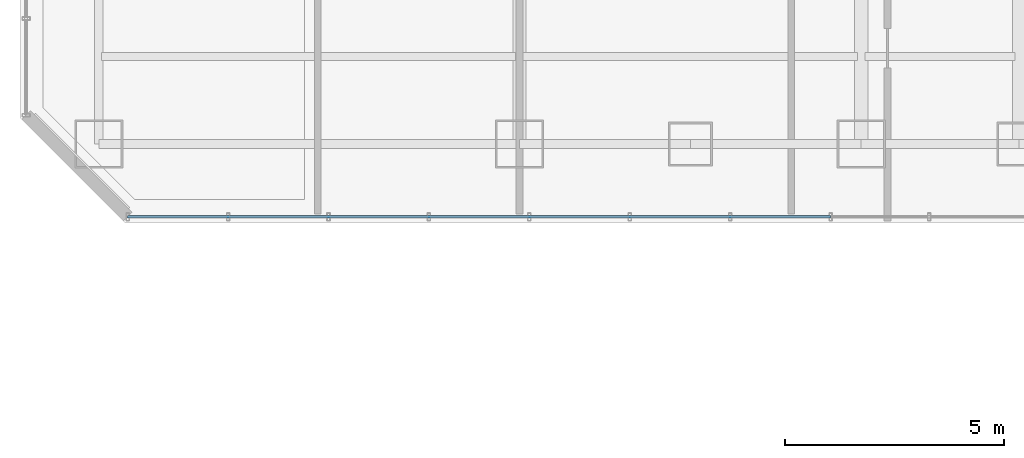
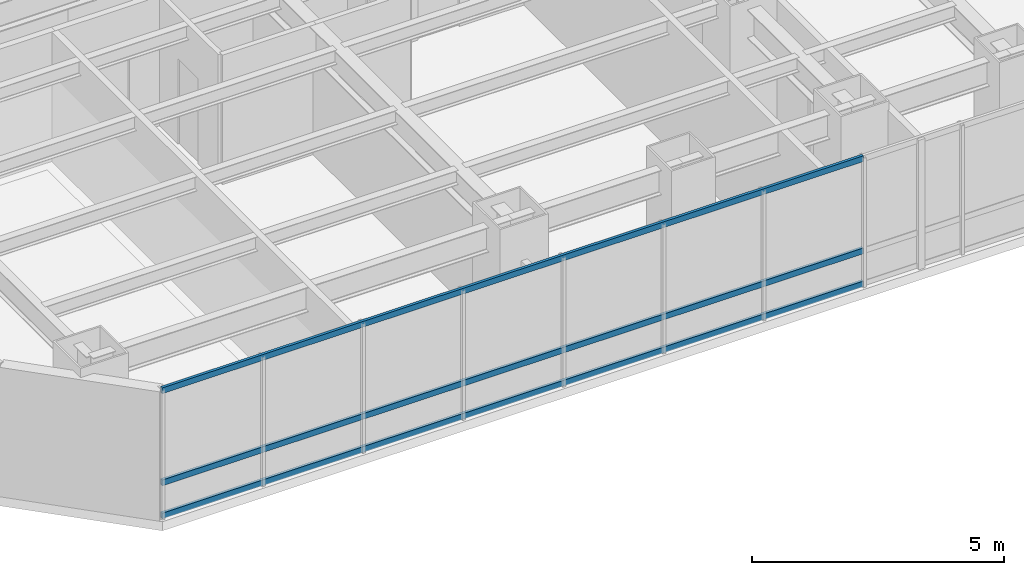
# One storey, part 3 of 38: 3 members, 1 element without a shape of its own.
"""IFC4 building model written with IfcOpenShell, lengths in metres."""

from ifc_helpers import new_model, si_unit, direction, frame, origin, origin_2d, place, context, subcontext, project, spatial, hollow_rectangle, extrude, material, layer, layer_set, material_profile, profile_set, type_object, element, aggregate, save


model = new_model("IFC4")

# Units and contexts
model_context = context("Model", 3, precision=1e-05, world=origin(), true_north=direction((0.0, 1.0)))
body_context = subcontext(model_context, "Body", "Model", "MODEL_VIEW")
ifc_project = project(units=[si_unit("LENGTHUNIT", "METRE"), si_unit("AREAUNIT", "SQUARE_METRE"), si_unit("VOLUMEUNIT", "CUBIC_METRE"), si_unit("PLANEANGLEUNIT", "RADIAN"), si_unit("MASSUNIT", "GRAM", prefix="KILO")], contexts=[model_context])

# Site, building, storey
site_placement = place(None, origin())
site = spatial("IfcSite", under=ifc_project, at=site_placement, CompositionType="ELEMENT")
building_placement = place(site_placement, origin())
building = spatial("IfcBuilding", under=site, at=building_placement, Name="Hatsunagi Terrace Concourse", CompositionType="ELEMENT")
storey_placement = place(building_placement, frame((0.0, 0.0, 63.39990234375)))
storey = spatial("IfcBuildingStorey", under=building, at=storey_placement, Name="L16", CompositionType="ELEMENT", Elevation=63.39990234375)

# Curtain wall, members
ifc_material_1 = material(Name="Anodised Aluminium Alloy 6063-T5", Category="aluminium")
ifc_layer = layer(ifc_material_1, 0.199951171875)
ifc_layer_set = layer_set([ifc_layer], Name="HotelFacade_CW02")
curtain_wall_type = type_object("IfcCurtainWallType", Name="HotelFacade_CW02", PredefinedType="NOTDEFINED", material=ifc_layer_set)
curtain_wall_placement = place(storey_placement, origin())
curtain_wall = element("IfcCurtainWall", 1, at=curtain_wall_placement, inside=storey, type_object=curtain_wall_type, Name="Unitised Curtain Wall CW-02 CW-L16-07", PredefinedType="NOTDEFINED")
ifc_material_2 = material(Name="Anodised Aluminium Alloy 6063-T5", Category="aluminium")
ifc_material_profile = material_profile(ifc_material_2, hollow_rectangle(XDim=0.06494140625, YDim=0.139892578125, WallThickness=0.00390625, at=origin_2d()), Name="ALU-TRN-140x65x4")
ifc_profile_set = profile_set([ifc_material_profile], Name="Anodised Aluminium Alloy 6063-T5")
member_type = type_object("IfcMemberType", Name="CurtainWallTransom_140x65", PredefinedType="USERDEFINED", material=ifc_profile_set)
member_1_placement = place(storey_placement, frame((18.5, 23.5400390625, 0.050048828125), z_axis=(-1.0, 0.0, 0.0), x_axis=(0.0, -1.0, 0.0)))
member_1 = element("IfcMember", 2, at=member_1_placement, type_object=member_type, Name="Curtain Wall Transom TRN-02", ObjectType="TRANSOM", PredefinedType="USERDEFINED", context=body_context, shape_type="SweptSolid", body=[
    extrude(hollow_rectangle(XDim=0.06494140625, YDim=0.139892578125, WallThickness=0.00390625, at=origin_2d()), origin(), (0.0, 0.0, 1.0), 16.0419921875),
])
member_2_placement = place(storey_placement, frame((18.5, 23.5400390625, 0.85009765625), z_axis=(-1.0, 0.0, 0.0), x_axis=(0.0, -1.0, 0.0)))
member_2 = element("IfcMember", 3, at=member_2_placement, type_object=member_type, Name="Curtain Wall Transom TRN-02", ObjectType="TRANSOM", PredefinedType="USERDEFINED", context=body_context, shape_type="SweptSolid", body=[
    extrude(hollow_rectangle(XDim=0.06494140625, YDim=0.139892578125, WallThickness=0.00390625, at=origin_2d()), origin(), (0.0, 0.0, 1.0), 16.0419921875),
])
member_3_placement = place(storey_placement, frame((18.5, 23.5400390625, 3.080078125), z_axis=(-1.0, 0.0, 0.0), x_axis=(0.0, -1.0, 0.0)))
member_3 = element("IfcMember", 4, at=member_3_placement, type_object=member_type, Name="Curtain Wall Transom TRN-02", ObjectType="TRANSOM", PredefinedType="USERDEFINED", context=body_context, shape_type="SweptSolid", body=[
    extrude(hollow_rectangle(XDim=0.06494140625, YDim=0.139892578125, WallThickness=0.00390625, at=origin_2d()), origin(), (0.0, 0.0, 1.0), 16.0419921875),
])
aggregate(curtain_wall, [member_1, member_2, member_3])

save(model, "model.ifc")
